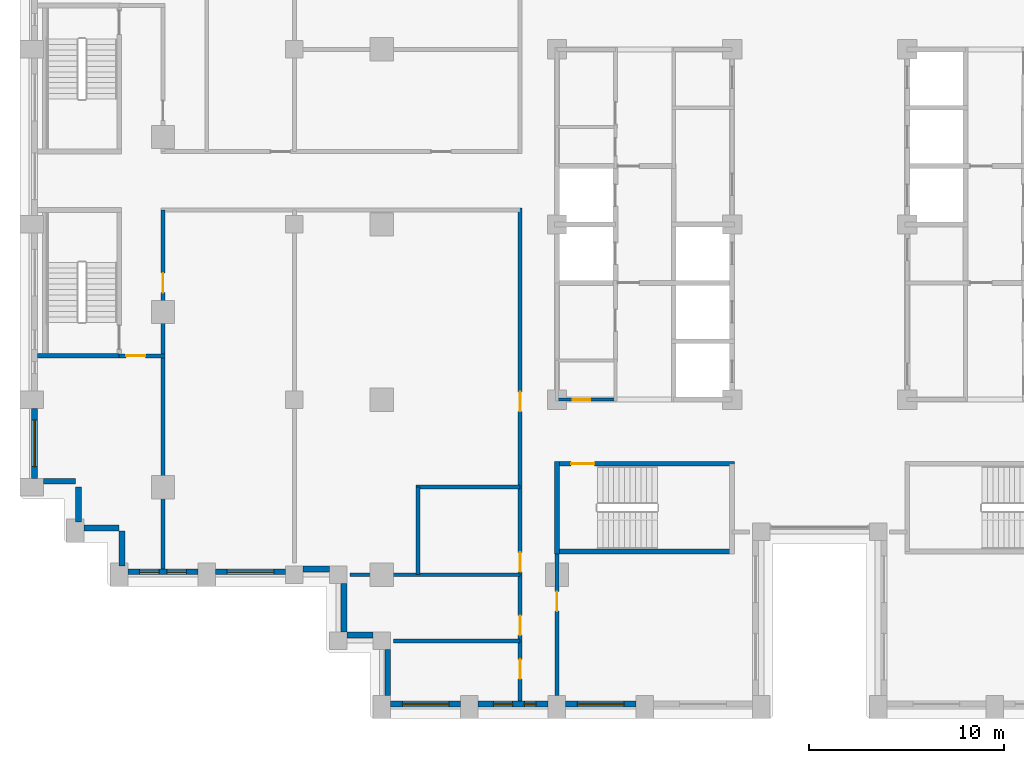
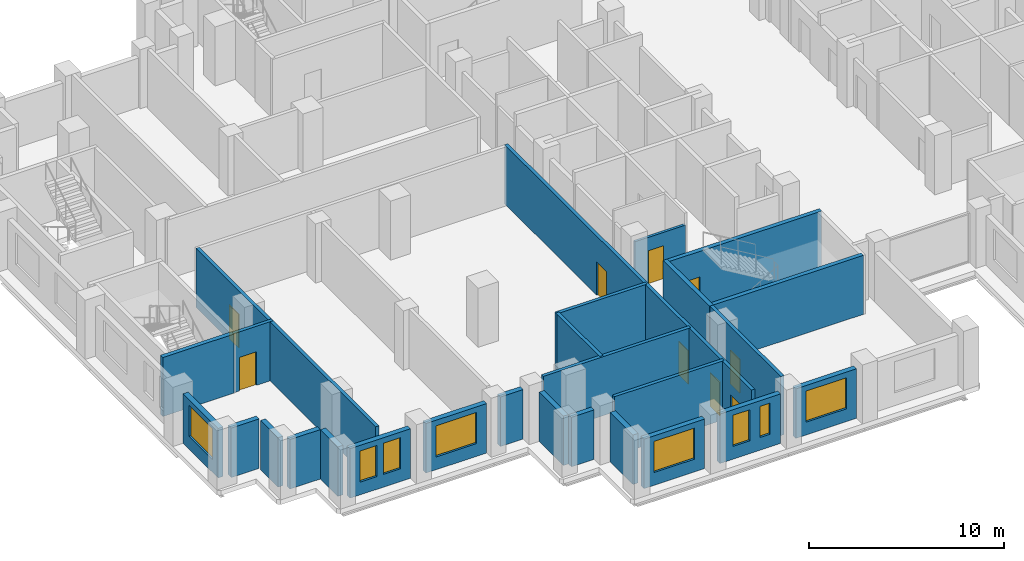
# One storey, part 6 of 16: 27 walls, 9 doors, 8 windows, 17 openings.
"""IFC4 building model written with IfcOpenShell, lengths in metres."""

from ifc_helpers import new_model, si_unit, direction, frame, frame_2d, origin, place, context, subcontext, project, spatial, rectangle, extrude, material, layer, layer_set, type_object, element, fill, save


model = new_model("IFC4")

# Units and contexts
model_context = context("Model", 3, precision=1e-05, world=origin(), true_north=direction((0.0, 1.0)))
body_context = subcontext(model_context, "Body", "Model", "MODEL_VIEW")
ifc_project = project(units=[si_unit("LENGTHUNIT", "METRE"), si_unit("AREAUNIT", "SQUARE_METRE"), si_unit("VOLUMEUNIT", "CUBIC_METRE"), si_unit("PLANEANGLEUNIT", "RADIAN"), si_unit("MASSUNIT", "GRAM", prefix="KILO")], contexts=[model_context])

# Site, building, storey
site_placement = place(None, origin())
site = spatial("IfcSite", under=ifc_project, at=site_placement, CompositionType="ELEMENT")
building_placement = place(site_placement, origin())
building = spatial("IfcBuilding", under=site, at=building_placement, Name="Corbelhall Arena Tower", CompositionType="ELEMENT")
storey_placement = place(building_placement, frame((0.0, 0.0, 72.0)))
storey = spatial("IfcBuildingStorey", under=building, at=storey_placement, Name="L10", CompositionType="ELEMENT", Elevation=72.0)

# Walls
ifc_material_1 = material(Name="Precast concrete C40/50 with granite facing", Category="masonry")
ifc_layer_1 = layer(ifc_material_1, 0.300048828125)
ifc_layer_set_1 = layer_set([ifc_layer_1], Name="EV-IW1 Infill panel 300")
wall_type_1 = type_object("IfcWallType", Name="EV-IW1 Infill panel 300", PredefinedType="SOLIDWALL", material=ifc_layer_set_1)
wall_1_placement = place(storey_placement, frame((-39.89990234375, -13.199951171875, 0.0), z_axis=(0.0, 0.0, 1.0), x_axis=(1.0, 0.0, 0.0)))
element("IfcWall", 1, at=wall_1_placement, inside=storey, type_object=wall_type_1, Name="Infill panel IW1", PredefinedType="SOLIDWALL", context=body_context, shape_type="SweptSolid", body=[
    extrude(rectangle(XDim=1.64990234375, YDim=0.300048828125, at=frame_2d((0.824951171875, 0.0))), origin(), (0.0, 0.0, 1.0), 3.10009765625),
])
for number, where, z_axis, x_axis, name in (
    (2, (-38.10009765625, -15.300048828125, 0.0), (0.0, 0.0, 1.0), (0.0, 1.0, 0.0), "Infill panel IW1"),
    (3, (-37.800048828125, -15.60009765625, 0.0), (0.0, 0.0, 1.0), (1.0, 0.0, 0.0), "Infill panel IW1"),
    (4, (-35.85009765625, -17.550048828125, 0.0), (0.0, 0.0, 1.0), (0.0, 1.0, 0.0), "Infill panel IW1"),
):
    element("IfcWall", number, at=place(storey_placement, frame(where, z_axis=z_axis, x_axis=x_axis)), inside=storey, type_object=wall_type_1, Name=name, PredefinedType="SOLIDWALL", context=body_context, shape_type="SweptSolid", body=[
        extrude(rectangle(XDim=1.800048828125, YDim=0.300048828125, at=frame_2d((0.89990234375, 0.0))), origin(), (0.0, 0.0, 1.0), 3.10009765625),
    ])

# Wall, opening, window
wall_2_placement = place(storey_placement, frame((-40.35009765625, -9.449951171875, 0.0), z_axis=(0.0, 0.0, 1.0), x_axis=(0.0, -1.0, 0.0)))
wall_2 = element("IfcWall", 5, at=wall_2_placement, inside=storey, type_object=wall_type_1, Name="Infill panel IW1", PredefinedType="SOLIDWALL", context=body_context, shape_type="SweptSolid", body=[
    extrude(rectangle(XDim=3.60009765625, YDim=0.300048828125, at=frame_2d((1.800048828125, 0.0))), origin(), (0.0, 0.0, 1.0), 3.10009765625),
])
opening_1_placement = place(wall_2_placement, frame((0.60009765625, 0.0, 0.800048828125)))
opening_1 = element("IfcOpeningElement", 6, at=opening_1_placement, cuts=wall_2, Name="Opening WN1", PredefinedType="OPENING", context=body_context, shape_type="SweptSolid", body=[
    extrude(rectangle(XDim=2.39990234375, YDim=1.949951171875, at=frame_2d((1.199951171875, 0.97509765625))), frame((0.0, 0.14990234375, 0.0), z_axis=(0.0, -1.0, 0.0), x_axis=(1.0, 0.0, 0.0)), (0.0, 0.0, 1.0), 0.300048828125),
])
ifc_material_2 = material(Name="Aluminium black anodised", Category="aluminium")
window_type_1 = type_object("IfcWindowType", Name="EV-WN1 Office window", PartitioningType="SINGLE_PANEL", PredefinedType="WINDOW", material=ifc_material_2)
window_1_placement = place(opening_1_placement, origin())
window_1 = element("IfcWindow", 7, at=window_1_placement, inside=storey, type_object=window_type_1, Name="Window WN1", OverallHeight=1.949951171875, OverallWidth=2.39990234375, PartitioningType="SINGLE_PANEL", PredefinedType="WINDOW", context=body_context, shape_type="SweptSolid", body=[
    extrude(rectangle(XDim=2.39990234375, YDim=1.949951171875, at=frame_2d((1.199951171875, 0.97509765625))), frame((0.0, 0.030029296875, 0.0), z_axis=(0.0, -1.0, 0.0), x_axis=(1.0, 0.0, 0.0)), (0.0, 0.0, 1.0), 0.06005859375),
])
fill(opening_1, window_1)

# Wall, openings, windows
wall_3_placement = place(storey_placement, frame((-35.550048828125, -17.85009765625, 0.0), z_axis=(0.0, 0.0, 1.0), x_axis=(1.0, 0.0, 0.0)))
wall_3 = element("IfcWall", 8, at=wall_3_placement, inside=storey, type_object=wall_type_1, Name="Infill panel IW1", PredefinedType="SOLIDWALL", context=body_context, shape_type="SweptSolid", body=[
    extrude(rectangle(XDim=3.60009765625, YDim=0.300048828125, at=frame_2d((1.800048828125, 0.0))), origin(), (0.0, 0.0, 1.0), 3.10009765625),
])
opening_2_placement = place(wall_3_placement, frame((0.60009765625, 0.0, 0.800048828125)))
opening_2 = element("IfcOpeningElement", 9, at=opening_2_placement, cuts=wall_3, Name="Opening WN6", PredefinedType="OPENING", context=body_context, shape_type="SweptSolid", body=[
    extrude(rectangle(XDim=1.0, YDim=1.949951171875, at=frame_2d((0.5, 0.97509765625))), frame((0.0, 0.14990234375, 0.0), z_axis=(0.0, -1.0, 0.0), x_axis=(1.0, 0.0, 0.0)), (0.0, 0.0, 1.0), 0.300048828125),
])
opening_3_placement = place(wall_3_placement, frame((2.0, 0.0, 0.800048828125)))
opening_3 = element("IfcOpeningElement", 10, at=opening_3_placement, cuts=wall_3, Name="Opening WN6", PredefinedType="OPENING", context=body_context, shape_type="SweptSolid", body=[
    extrude(rectangle(XDim=1.0, YDim=1.949951171875, at=frame_2d((0.5, 0.97509765625))), frame((0.0, 0.14990234375, 0.0), z_axis=(0.0, -1.0, 0.0), x_axis=(1.0, 0.0, 0.0)), (0.0, 0.0, 1.0), 0.300048828125),
])
window_type_2 = type_object("IfcWindowType", Name="EV-WN6 Office window 1000", PartitioningType="SINGLE_PANEL", PredefinedType="WINDOW", material=ifc_material_2)
window_2_placement = place(opening_2_placement, origin())
window_2 = element("IfcWindow", 11, at=window_2_placement, inside=storey, type_object=window_type_2, Name="Window WN6", OverallHeight=1.949951171875, OverallWidth=1.0, PartitioningType="SINGLE_PANEL", PredefinedType="WINDOW", context=body_context, shape_type="SweptSolid", body=[
    extrude(rectangle(XDim=1.0, YDim=1.949951171875, at=frame_2d((0.5, 0.97509765625))), frame((0.0, 0.030029296875, 0.0), z_axis=(0.0, -1.0, 0.0), x_axis=(1.0, 0.0, 0.0)), (0.0, 0.0, 1.0), 0.06005859375),
])
fill(opening_2, window_2)
window_3_placement = place(opening_3_placement, origin())
window_3 = element("IfcWindow", 12, at=window_3_placement, inside=storey, type_object=window_type_2, Name="Window WN6", OverallHeight=1.949951171875, OverallWidth=1.0, PartitioningType="SINGLE_PANEL", PredefinedType="WINDOW", context=body_context, shape_type="SweptSolid", body=[
    extrude(rectangle(XDim=1.0, YDim=1.949951171875, at=frame_2d((0.5, 0.97509765625))), frame((0.0, 0.030029296875, 0.0), z_axis=(0.0, -1.0, 0.0), x_axis=(1.0, 0.0, 0.0)), (0.0, 0.0, 1.0), 0.06005859375),
])
fill(opening_3, window_3)

# Wall, opening, window
wall_4_placement = place(storey_placement, frame((-31.050048828125, -17.85009765625, 0.0), z_axis=(0.0, 0.0, 1.0), x_axis=(1.0, 0.0, 0.0)))
wall_4 = element("IfcWall", 13, at=wall_4_placement, inside=storey, type_object=wall_type_1, Name="Infill panel IW1", PredefinedType="SOLIDWALL", context=body_context, shape_type="SweptSolid", body=[
    extrude(rectangle(XDim=3.60009765625, YDim=0.300048828125, at=frame_2d((1.800048828125, 0.0))), origin(), (0.0, 0.0, 1.0), 3.10009765625),
])
opening_4_placement = place(wall_4_placement, frame((0.60009765625, 0.0, 0.800048828125)))
opening_4 = element("IfcOpeningElement", 14, at=opening_4_placement, cuts=wall_4, Name="Opening WN1", PredefinedType="OPENING", context=body_context, shape_type="SweptSolid", body=[
    extrude(rectangle(XDim=2.39990234375, YDim=1.949951171875, at=frame_2d((1.199951171875, 0.97509765625))), frame((0.0, 0.14990234375, 0.0), z_axis=(0.0, -1.0, 0.0), x_axis=(1.0, 0.0, 0.0)), (0.0, 0.0, 1.0), 0.300048828125),
])
window_4_placement = place(opening_4_placement, origin())
window_4 = element("IfcWindow", 15, at=window_4_placement, inside=storey, type_object=window_type_1, Name="Window WN1", OverallHeight=1.949951171875, OverallWidth=2.39990234375, PartitioningType="SINGLE_PANEL", PredefinedType="WINDOW", context=body_context, shape_type="SweptSolid", body=[
    extrude(rectangle(XDim=2.39990234375, YDim=1.949951171875, at=frame_2d((1.199951171875, 0.97509765625))), frame((0.0, 0.030029296875, 0.0), z_axis=(0.0, -1.0, 0.0), x_axis=(1.0, 0.0, 0.0)), (0.0, 0.0, 1.0), 0.06005859375),
])
fill(opening_4, window_4)

# Walls
wall_5_placement = place(storey_placement, frame((-26.550048828125, -17.699951171875, 0.0), z_axis=(0.0, 0.0, 1.0), x_axis=(1.0, 0.0, 0.0)))
element("IfcWall", 16, at=wall_5_placement, inside=storey, type_object=wall_type_1, Name="Infill panel IW1", PredefinedType="SOLIDWALL", context=body_context, shape_type="SweptSolid", body=[
    extrude(rectangle(XDim=1.35009765625, YDim=0.300048828125, at=frame_2d((0.675048828125, 0.0))), origin(), (0.0, 0.0, 1.0), 3.10009765625),
])
wall_6_placement = place(storey_placement, frame((-24.449951171875, -18.449951171875, 0.0), z_axis=(0.0, 0.0, 1.0), x_axis=(0.0, -1.0, 0.0)))
element("IfcWall", 17, at=wall_6_placement, inside=storey, type_object=wall_type_1, Name="Infill panel IW1", PredefinedType="SOLIDWALL", context=body_context, shape_type="SweptSolid", body=[
    extrude(rectangle(XDim=2.5, YDim=0.300048828125, at=frame_2d((1.25, 0.0))), origin(), (0.0, 0.0, 1.0), 3.10009765625),
])
wall_7_placement = place(storey_placement, frame((-24.300048828125, -21.10009765625, 0.0), z_axis=(0.0, 0.0, 1.0), x_axis=(1.0, 0.0, 0.0)))
element("IfcWall", 18, at=wall_7_placement, inside=storey, type_object=wall_type_1, Name="Infill panel IW1", PredefinedType="SOLIDWALL", context=body_context, shape_type="SweptSolid", body=[
    extrude(rectangle(XDim=1.35009765625, YDim=0.300048828125, at=frame_2d((0.675048828125, 0.0))), origin(), (0.0, 0.0, 1.0), 3.10009765625),
])
wall_8_placement = place(storey_placement, frame((-22.199951171875, -21.85009765625, 0.0), z_axis=(0.0, 0.0, 1.0), x_axis=(0.0, -1.0, 0.0)))
element("IfcWall", 19, at=wall_8_placement, inside=storey, type_object=wall_type_1, Name="Infill panel IW1", PredefinedType="SOLIDWALL", context=body_context, shape_type="SweptSolid", body=[
    extrude(rectangle(XDim=2.349853515625, YDim=0.300048828125, at=frame_2d((1.1748046875, 0.0))), origin(), (0.0, 0.0, 1.0), 3.10009765625),
])

# Wall, opening, window
wall_9_placement = place(storey_placement, frame((-22.050048828125, -24.64990234375, 0.0), z_axis=(0.0, 0.0, 1.0), x_axis=(1.0, 0.0, 0.0)))
wall_9 = element("IfcWall", 20, at=wall_9_placement, inside=storey, type_object=wall_type_1, Name="Infill panel IW1", PredefinedType="SOLIDWALL", context=body_context, shape_type="SweptSolid", body=[
    extrude(rectangle(XDim=3.60009765625, YDim=0.300048828125, at=frame_2d((1.800048828125, 0.0))), origin(), (0.0, 0.0, 1.0), 3.10009765625),
])
opening_5_placement = place(wall_9_placement, frame((0.60009765625, 0.0, 0.800048828125)))
opening_5 = element("IfcOpeningElement", 21, at=opening_5_placement, cuts=wall_9, Name="Opening WN1", PredefinedType="OPENING", context=body_context, shape_type="SweptSolid", body=[
    extrude(rectangle(XDim=2.39990234375, YDim=1.949951171875, at=frame_2d((1.199951171875, 0.97509765625))), frame((0.0, 0.14990234375, 0.0), z_axis=(0.0, -1.0, 0.0), x_axis=(1.0, 0.0, 0.0)), (0.0, 0.0, 1.0), 0.300048828125),
])
window_5_placement = place(opening_5_placement, origin())
window_5 = element("IfcWindow", 22, at=window_5_placement, inside=storey, type_object=window_type_1, Name="Window WN1", OverallHeight=1.949951171875, OverallWidth=2.39990234375, PartitioningType="SINGLE_PANEL", PredefinedType="WINDOW", context=body_context, shape_type="SweptSolid", body=[
    extrude(rectangle(XDim=2.39990234375, YDim=1.949951171875, at=frame_2d((1.199951171875, 0.97509765625))), frame((0.0, 0.030029296875, 0.0), z_axis=(0.0, -1.0, 0.0), x_axis=(1.0, 0.0, 0.0)), (0.0, 0.0, 1.0), 0.06005859375),
])
fill(opening_5, window_5)

# Wall, openings, windows
wall_10_placement = place(storey_placement, frame((-17.550048828125, -24.64990234375, 0.0), z_axis=(0.0, 0.0, 1.0), x_axis=(1.0, 0.0, 0.0)))
wall_10 = element("IfcWall", 23, at=wall_10_placement, inside=storey, type_object=wall_type_1, Name="Infill panel IW1", PredefinedType="SOLIDWALL", context=body_context, shape_type="SweptSolid", body=[
    extrude(rectangle(XDim=3.60009765625, YDim=0.300048828125, at=frame_2d((1.800048828125, 0.0))), origin(), (0.0, 0.0, 1.0), 3.10009765625),
])
opening_6_placement = place(wall_10_placement, frame((0.77490234375, 0.0, 0.800048828125)))
opening_6 = element("IfcOpeningElement", 24, at=opening_6_placement, cuts=wall_10, Name="Opening WN6", PredefinedType="OPENING", context=body_context, shape_type="SweptSolid", body=[
    extrude(rectangle(XDim=1.0, YDim=1.949951171875, at=frame_2d((0.5, 0.97509765625))), frame((0.0, 0.14990234375, 0.0), z_axis=(0.0, -1.0, 0.0), x_axis=(1.0, 0.0, 0.0)), (0.0, 0.0, 1.0), 0.300048828125),
])
opening_7_placement = place(wall_10_placement, frame((2.375, 0.0, 0.800048828125)))
opening_7 = element("IfcOpeningElement", 25, at=opening_7_placement, cuts=wall_10, Name="Opening WN5", PredefinedType="OPENING", context=body_context, shape_type="SweptSolid", body=[
    extrude(rectangle(XDim=0.60009765625, YDim=1.949951171875, at=frame_2d((0.300048828125, 0.97509765625))), frame((0.0, 0.14990234375, 0.0), z_axis=(0.0, -1.0, 0.0), x_axis=(1.0, 0.0, 0.0)), (0.0, 0.0, 1.0), 0.300048828125),
])
window_type_3 = type_object("IfcWindowType", Name="EV-WN5 Office window 600", PartitioningType="SINGLE_PANEL", PredefinedType="WINDOW", material=ifc_material_2)
window_6_placement = place(opening_7_placement, origin())
window_6 = element("IfcWindow", 26, at=window_6_placement, inside=storey, type_object=window_type_3, Name="Window WN5", OverallHeight=1.949951171875, OverallWidth=0.60009765625, PartitioningType="SINGLE_PANEL", PredefinedType="WINDOW", context=body_context, shape_type="SweptSolid", body=[
    extrude(rectangle(XDim=0.60009765625, YDim=1.949951171875, at=frame_2d((0.300048828125, 0.97509765625))), frame((0.0, 0.030029296875, 0.0), z_axis=(0.0, -1.0, 0.0), x_axis=(1.0, 0.0, 0.0)), (0.0, 0.0, 1.0), 0.06005859375),
])
fill(opening_7, window_6)
window_7_placement = place(opening_6_placement, origin())
window_7 = element("IfcWindow", 27, at=window_7_placement, inside=storey, type_object=window_type_2, Name="Window WN6", OverallHeight=1.949951171875, OverallWidth=1.0, PartitioningType="SINGLE_PANEL", PredefinedType="WINDOW", context=body_context, shape_type="SweptSolid", body=[
    extrude(rectangle(XDim=1.0, YDim=1.949951171875, at=frame_2d((0.5, 0.97509765625))), frame((0.0, 0.030029296875, 0.0), z_axis=(0.0, -1.0, 0.0), x_axis=(1.0, 0.0, 0.0)), (0.0, 0.0, 1.0), 0.06005859375),
])
fill(opening_6, window_7)

# Wall, opening, window
wall_11_placement = place(storey_placement, frame((-13.050048828125, -24.64990234375, 0.0), z_axis=(0.0, 0.0, 1.0), x_axis=(1.0, 0.0, 0.0)))
wall_11 = element("IfcWall", 28, at=wall_11_placement, inside=storey, type_object=wall_type_1, Name="Infill panel IW1", PredefinedType="SOLIDWALL", context=body_context, shape_type="SweptSolid", body=[
    extrude(rectangle(XDim=3.60009765625, YDim=0.300048828125, at=frame_2d((1.800048828125, 0.0))), origin(), (0.0, 0.0, 1.0), 3.10009765625),
])
opening_8_placement = place(wall_11_placement, frame((0.60009765625, 0.0, 0.800048828125)))
opening_8 = element("IfcOpeningElement", 29, at=opening_8_placement, cuts=wall_11, Name="Opening WN1", PredefinedType="OPENING", context=body_context, shape_type="SweptSolid", body=[
    extrude(rectangle(XDim=2.39990234375, YDim=1.949951171875, at=frame_2d((1.199951171875, 0.97509765625))), frame((0.0, 0.14990234375, 0.0), z_axis=(0.0, -1.0, 0.0), x_axis=(1.0, 0.0, 0.0)), (0.0, 0.0, 1.0), 0.300048828125),
])
window_8_placement = place(opening_8_placement, origin())
window_8 = element("IfcWindow", 30, at=window_8_placement, inside=storey, type_object=window_type_1, Name="Window WN1", OverallHeight=1.949951171875, OverallWidth=2.39990234375, PartitioningType="SINGLE_PANEL", PredefinedType="WINDOW", context=body_context, shape_type="SweptSolid", body=[
    extrude(rectangle(XDim=2.39990234375, YDim=1.949951171875, at=frame_2d((1.199951171875, 0.97509765625))), frame((0.0, 0.030029296875, 0.0), z_axis=(0.0, -1.0, 0.0), x_axis=(1.0, 0.0, 0.0)), (0.0, 0.0, 1.0), 0.06005859375),
])
fill(opening_8, window_8)

# Wall, opening, door
ifc_material_3 = material(Name="Gypsum board on steel stud, acoustic", Category="steel")
ifc_layer_2 = layer(ifc_material_3, 0.199951171875)
ifc_layer_set_2 = layer_set([ifc_layer_2], Name="IN-W-DM200")
wall_type_2 = type_object("IfcWallType", Name="IN-W-DM200", PredefinedType="PARTITIONING", material=ifc_layer_set_2)
wall_12_placement = place(storey_placement, frame((-33.75, 0.75, 0.0), z_axis=(0.0, 0.0, 1.0), x_axis=(0.0, -1.0, 0.0)))
wall_12 = element("IfcWall", 31, at=wall_12_placement, inside=storey, type_object=wall_type_2, Name="Partition 003", PredefinedType="PARTITIONING", context=body_context, shape_type="SweptSolid", body=[
    extrude(rectangle(XDim=18.449951171875, YDim=0.199951171875, at=frame_2d((9.22509765625, 0.0))), origin(), (0.0, 0.0, 1.0), 3.699951171875),
])
opening_9_placement = place(wall_12_placement, frame((3.25, 0.0, 0.0)))
opening_9 = element("IfcOpeningElement", 32, at=opening_9_placement, cuts=wall_12, Name="Opening 01043", PredefinedType="OPENING", context=body_context, shape_type="SweptSolid", body=[
    extrude(rectangle(XDim=1.0, YDim=2.10009765625, at=frame_2d((0.5, 1.050048828125))), frame((0.0, 0.10009765625, 0.0), z_axis=(0.0, -1.0, 0.0), x_axis=(1.0, 0.0, 0.0)), (0.0, 0.0, 1.0), 0.199951171875),
])
ifc_material_4 = material(Name="Steel door set", Category="steel")
door_type_1 = type_object("IfcDoorType", Name="IN-D-SW100", OperationType="NOTDEFINED", PredefinedType="DOOR", material=ifc_material_4)
door_1_placement = place(opening_9_placement, origin())
door_1 = element("IfcDoor", 33, at=door_1_placement, inside=storey, type_object=door_type_1, Name="Door 043", OperationType="SINGLE_SWING_RIGHT", OverallHeight=2.10009765625, OverallWidth=1.0, PredefinedType="DOOR", context=body_context, shape_type="SweptSolid", body=[
    extrude(rectangle(XDim=1.0, YDim=2.10009765625, at=frame_2d((0.5, 1.050048828125))), frame((0.0, 0.02490234375, 0.0), z_axis=(0.0, -1.0, 0.0), x_axis=(1.0, 0.0, 0.0)), (0.0, 0.0, 1.0), 0.050048828125),
])
fill(opening_9, door_1)

wall_13_placement = place(storey_placement, frame((-33.64990234375, -6.75, 0.0), z_axis=(0.0, 0.0, 1.0), x_axis=(-1.0, 0.0, 0.0)))
wall_13 = element("IfcWall", 34, at=wall_13_placement, inside=storey, type_object=wall_type_2, Name="Partition 005", PredefinedType="PARTITIONING", context=body_context, shape_type="SweptSolid", body=[
    extrude(rectangle(XDim=2.35009765625, YDim=0.199951171875, at=frame_2d((1.175048828125, 0.0))), origin(), (0.0, 0.0, 1.0), 3.699951171875),
])
opening_10_placement = place(wall_13_placement, frame((1.0, 0.0, 0.0)))
opening_10 = element("IfcOpeningElement", 35, at=opening_10_placement, cuts=wall_13, Name="Opening 01042", PredefinedType="OPENING", context=body_context, shape_type="SweptSolid", body=[
    extrude(rectangle(XDim=1.0, YDim=2.10009765625, at=frame_2d((0.5, 1.050048828125))), frame((0.0, 0.10009765625, 0.0), z_axis=(0.0, -1.0, 0.0), x_axis=(1.0, 0.0, 0.0)), (0.0, 0.0, 1.0), 0.199951171875),
])
door_2_placement = place(opening_10_placement, origin())
door_2 = element("IfcDoor", 36, at=door_2_placement, inside=storey, type_object=door_type_1, Name="Door 042", OperationType="SINGLE_SWING_LEFT", OverallHeight=2.10009765625, OverallWidth=1.0, PredefinedType="DOOR", context=body_context, shape_type="SweptSolid", body=[
    extrude(rectangle(XDim=1.0, YDim=2.10009765625, at=frame_2d((0.5, 1.050048828125))), frame((0.0, 0.02490234375, 0.0), z_axis=(0.0, -1.0, 0.0), x_axis=(1.0, 0.0, 0.0)), (0.0, 0.0, 1.0), 0.050048828125),
])
fill(opening_10, door_2)

# Walls
wall_14_placement = place(storey_placement, frame((-24.14990234375, -18.0, 0.0), z_axis=(0.0, 0.0, 1.0), x_axis=(1.0, 0.0, 0.0)))
element("IfcWall", 37, at=wall_14_placement, inside=storey, type_object=wall_type_2, Name="Partition 011", PredefinedType="PARTITIONING", context=body_context, shape_type="SweptSolid", body=[
    extrude(rectangle(XDim=8.75, YDim=0.199951171875, at=frame_2d((4.375, 0.0))), origin(), (0.0, 0.0, 1.0), 3.699951171875),
])
wall_15_placement = place(storey_placement, frame((-21.89990234375, -21.39990234375, 0.0), z_axis=(0.0, 0.0, 1.0), x_axis=(1.0, 0.0, 0.0)))
element("IfcWall", 38, at=wall_15_placement, inside=storey, type_object=wall_type_2, Name="Partition 012", PredefinedType="PARTITIONING", context=body_context, shape_type="SweptSolid", body=[
    extrude(rectangle(XDim=6.5, YDim=0.199951171875, at=frame_2d((3.25, 0.0))), origin(), (0.0, 0.0, 1.0), 3.699951171875),
])
wall_16_placement = place(storey_placement, frame((-20.75, -13.5, 0.0), z_axis=(0.0, 0.0, 1.0), x_axis=(1.0, 0.0, 0.0)))
element("IfcWall", 39, at=wall_16_placement, inside=storey, type_object=wall_type_2, Name="Partition 014", PredefinedType="PARTITIONING", context=body_context, shape_type="SweptSolid", body=[
    extrude(rectangle(XDim=5.35009765625, YDim=0.199951171875, at=frame_2d((2.675048828125, 0.0))), origin(), (0.0, 0.0, 1.0), 3.699951171875),
])
wall_17_placement = place(storey_placement, frame((-20.64990234375, -18.0, 0.0), z_axis=(0.0, 0.0, 1.0), x_axis=(0.0, 1.0, 0.0)))
element("IfcWall", 40, at=wall_17_placement, inside=storey, type_object=wall_type_2, Name="Partition 015", PredefinedType="PARTITIONING", context=body_context, shape_type="SweptSolid", body=[
    extrude(rectangle(XDim=4.5, YDim=0.199951171875, at=frame_2d((2.25, 0.0))), origin(), (0.0, 0.0, 1.0), 3.699951171875),
])

# Wall, openings, doors
wall_18_placement = place(storey_placement, frame((-15.39990234375, -24.5, 0.0), z_axis=(0.0, 0.0, 1.0), x_axis=(0.0, 1.0, 0.0)))
wall_18 = element("IfcWall", 41, at=wall_18_placement, inside=storey, type_object=wall_type_2, Name="Partition 016", PredefinedType="PARTITIONING", context=body_context, shape_type="SweptSolid", body=[
    extrude(rectangle(XDim=25.35009765625, YDim=0.199951171875, at=frame_2d((12.675048828125, 0.0))), origin(), (0.0, 0.0, 1.0), 3.699951171875),
])
opening_11_placement = place(wall_18_placement, frame((1.14990234375, 0.0, 0.0)))
opening_11 = element("IfcOpeningElement", 42, at=opening_11_placement, cuts=wall_18, Name="Opening 01029", PredefinedType="OPENING", context=body_context, shape_type="SweptSolid", body=[
    extrude(rectangle(XDim=1.0, YDim=2.10009765625, at=frame_2d((0.5, 1.050048828125))), frame((0.0, 0.10009765625, 0.0), z_axis=(0.0, -1.0, 0.0), x_axis=(1.0, 0.0, 0.0)), (0.0, 0.0, 1.0), 0.199951171875),
])
opening_12_placement = place(wall_18_placement, frame((3.39990234375, 0.0, 0.0)))
opening_12 = element("IfcOpeningElement", 43, at=opening_12_placement, cuts=wall_18, Name="Opening 01030", PredefinedType="OPENING", context=body_context, shape_type="SweptSolid", body=[
    extrude(rectangle(XDim=1.0, YDim=2.10009765625, at=frame_2d((0.5, 1.050048828125))), frame((0.0, 0.10009765625, 0.0), z_axis=(0.0, -1.0, 0.0), x_axis=(1.0, 0.0, 0.0)), (0.0, 0.0, 1.0), 0.199951171875),
])
opening_13_placement = place(wall_18_placement, frame((6.64990234375, 0.0, 0.0)))
opening_13 = element("IfcOpeningElement", 44, at=opening_13_placement, cuts=wall_18, Name="Opening 01031", PredefinedType="OPENING", context=body_context, shape_type="SweptSolid", body=[
    extrude(rectangle(XDim=1.0, YDim=2.10009765625, at=frame_2d((0.5, 1.050048828125))), frame((0.0, 0.10009765625, 0.0), z_axis=(0.0, -1.0, 0.0), x_axis=(1.0, 0.0, 0.0)), (0.0, 0.0, 1.0), 0.199951171875),
])
opening_14_placement = place(wall_18_placement, frame((14.89990234375, 0.0, 0.0)))
opening_14 = element("IfcOpeningElement", 45, at=opening_14_placement, cuts=wall_18, Name="Opening 01032", PredefinedType="OPENING", context=body_context, shape_type="SweptSolid", body=[
    extrude(rectangle(XDim=1.0, YDim=2.10009765625, at=frame_2d((0.5, 1.050048828125))), frame((0.0, 0.10009765625, 0.0), z_axis=(0.0, -1.0, 0.0), x_axis=(1.0, 0.0, 0.0)), (0.0, 0.0, 1.0), 0.199951171875),
])
door_3_placement = place(opening_11_placement, origin())
door_3 = element("IfcDoor", 46, at=door_3_placement, inside=storey, type_object=door_type_1, Name="Door 029", OperationType="SINGLE_SWING_RIGHT", OverallHeight=2.10009765625, OverallWidth=1.0, PredefinedType="DOOR", context=body_context, shape_type="SweptSolid", body=[
    extrude(rectangle(XDim=1.0, YDim=2.10009765625, at=frame_2d((0.5, 1.050048828125))), frame((0.0, 0.02490234375, 0.0), z_axis=(0.0, -1.0, 0.0), x_axis=(1.0, 0.0, 0.0)), (0.0, 0.0, 1.0), 0.050048828125),
])
fill(opening_11, door_3)
door_4_placement = place(opening_12_placement, origin())
door_4 = element("IfcDoor", 47, at=door_4_placement, inside=storey, type_object=door_type_1, Name="Door 030", OperationType="SINGLE_SWING_LEFT", OverallHeight=2.10009765625, OverallWidth=1.0, PredefinedType="DOOR", context=body_context, shape_type="SweptSolid", body=[
    extrude(rectangle(XDim=1.0, YDim=2.10009765625, at=frame_2d((0.5, 1.050048828125))), frame((0.0, 0.02490234375, 0.0), z_axis=(0.0, -1.0, 0.0), x_axis=(1.0, 0.0, 0.0)), (0.0, 0.0, 1.0), 0.050048828125),
])
fill(opening_12, door_4)
door_5_placement = place(opening_13_placement, origin())
door_5 = element("IfcDoor", 48, at=door_5_placement, inside=storey, type_object=door_type_1, Name="Door 031", OperationType="SINGLE_SWING_RIGHT", OverallHeight=2.10009765625, OverallWidth=1.0, PredefinedType="DOOR", context=body_context, shape_type="SweptSolid", body=[
    extrude(rectangle(XDim=1.0, YDim=2.10009765625, at=frame_2d((0.5, 1.050048828125))), frame((0.0, 0.02490234375, 0.0), z_axis=(0.0, -1.0, 0.0), x_axis=(1.0, 0.0, 0.0)), (0.0, 0.0, 1.0), 0.050048828125),
])
fill(opening_13, door_5)
door_6_placement = place(opening_14_placement, origin())
door_6 = element("IfcDoor", 49, at=door_6_placement, inside=storey, type_object=door_type_1, Name="Door 032", OperationType="SINGLE_SWING_LEFT", OverallHeight=2.10009765625, OverallWidth=1.0, PredefinedType="DOOR", context=body_context, shape_type="SweptSolid", body=[
    extrude(rectangle(XDim=1.0, YDim=2.10009765625, at=frame_2d((0.5, 1.050048828125))), frame((0.0, 0.02490234375, 0.0), z_axis=(0.0, -1.0, 0.0), x_axis=(1.0, 0.0, 0.0)), (0.0, 0.0, 1.0), 0.050048828125),
])
fill(opening_14, door_6)

# Wall, opening, door
wall_19_placement = place(storey_placement, frame((-13.5, -16.675048828125, 0.0), z_axis=(0.0, 0.0, 1.0), x_axis=(0.0, -1.0, 0.0)))
wall_19 = element("IfcWall", 50, at=wall_19_placement, inside=storey, type_object=wall_type_2, Name="Partition 020", PredefinedType="PARTITIONING", context=body_context, shape_type="SweptSolid", body=[
    extrude(rectangle(XDim=7.52490234375, YDim=0.199951171875, at=frame_2d((3.762451171875, 0.0))), origin(), (0.0, 0.0, 1.0), 3.699951171875),
])
opening_15_placement = place(wall_19_placement, frame((2.199951171875, 0.0, 0.0)))
opening_15 = element("IfcOpeningElement", 51, at=opening_15_placement, cuts=wall_19, Name="Opening 01025", PredefinedType="OPENING", context=body_context, shape_type="SweptSolid", body=[
    extrude(rectangle(XDim=1.0, YDim=2.10009765625, at=frame_2d((0.5, 1.050048828125))), frame((0.0, 0.10009765625, 0.0), z_axis=(0.0, -1.0, 0.0), x_axis=(1.0, 0.0, 0.0)), (0.0, 0.0, 1.0), 0.199951171875),
])
door_7_placement = place(opening_15_placement, origin())
door_7 = element("IfcDoor", 52, at=door_7_placement, inside=storey, type_object=door_type_1, Name="Door 025", OperationType="SINGLE_SWING_RIGHT", OverallHeight=2.10009765625, OverallWidth=1.0, PredefinedType="DOOR", context=body_context, shape_type="SweptSolid", body=[
    extrude(rectangle(XDim=1.0, YDim=2.10009765625, at=frame_2d((0.5, 1.050048828125))), frame((0.0, 0.02490234375, 0.0), z_axis=(0.0, -1.0, 0.0), x_axis=(1.0, 0.0, 0.0)), (0.0, 0.0, 1.0), 0.050048828125),
])
fill(opening_15, door_7)

# Walls
ifc_material_5 = material(Name="Concrete C40/50", Category="concrete")
ifc_layer_3 = layer(ifc_material_5, 0.25)
ifc_layer_set_3 = layer_set([ifc_layer_3], Name="IN-W-ST250")
wall_type_3 = type_object("IfcWallType", Name="IN-W-ST250", PredefinedType="SOLIDWALL", material=ifc_layer_set_3)
wall_20_placement = place(storey_placement, frame((-36.0, -6.75, 0.0), z_axis=(0.0, 0.0, 1.0), x_axis=(-1.0, 0.0, 0.0)))
element("IfcWall", 53, at=wall_20_placement, inside=storey, type_object=wall_type_3, Name="Shaft wall 085", PredefinedType="SOLIDWALL", context=body_context, shape_type="SweptSolid", body=[
    extrude(rectangle(XDim=4.199951171875, YDim=0.25, at=frame_2d((2.10009765625, 0.0))), origin(), (0.0, 0.0, 1.0), 3.699951171875),
])
wall_21_placement = place(storey_placement, frame((-13.5, -12.175048828125, 0.0), z_axis=(0.0, 0.0, 1.0), x_axis=(0.0, -1.0, 0.0)))
element("IfcWall", 54, at=wall_21_placement, inside=storey, type_object=wall_type_3, Name="Shaft wall 089", PredefinedType="SOLIDWALL", context=body_context, shape_type="SweptSolid", body=[
    extrude(rectangle(XDim=4.75, YDim=0.25, at=frame_2d((2.375, 0.0))), origin(), (0.0, 0.0, 1.0), 3.699951171875),
])
wall_22_placement = place(storey_placement, frame((-4.5, -16.800048828125, 0.0), z_axis=(0.0, 0.0, 1.0), x_axis=(-1.0, 0.0, 0.0)))
element("IfcWall", 55, at=wall_22_placement, inside=storey, type_object=wall_type_3, Name="Shaft wall 093", PredefinedType="SOLIDWALL", context=body_context, shape_type="SweptSolid", body=[
    extrude(rectangle(XDim=9.0, YDim=0.25, at=frame_2d((4.5, 0.0))), origin(), (0.0, 0.0, 1.0), 3.699951171875),
])

# Wall, opening, door
wall_23_placement = place(storey_placement, frame((-4.375, -12.300048828125, 0.0), z_axis=(0.0, 0.0, 1.0), x_axis=(-1.0, 0.0, 0.0)))
wall_23 = element("IfcWall", 56, at=wall_23_placement, inside=storey, type_object=wall_type_3, Name="Shaft wall 096", PredefinedType="SOLIDWALL", context=body_context, shape_type="SweptSolid", body=[
    extrude(rectangle(XDim=9.125, YDim=0.25, at=frame_2d((4.5625, 0.0))), origin(), (0.0, 0.0, 1.0), 3.699951171875),
])
opening_16_placement = place(wall_23_placement, frame((7.199951171875, 0.0, 0.0)))
opening_16 = element("IfcOpeningElement", 57, at=opening_16_placement, cuts=wall_23, Name="Opening 01016", PredefinedType="OPENING", context=body_context, shape_type="SweptSolid", body=[
    extrude(rectangle(XDim=1.199951171875, YDim=2.10009765625, at=frame_2d((0.60009765625, 1.050048828125))), frame((0.0, 0.125, 0.0), z_axis=(0.0, -1.0, 0.0), x_axis=(1.0, 0.0, 0.0)), (0.0, 0.0, 1.0), 0.25),
])
door_type_2 = type_object("IfcDoorType", Name="IN-D-ST120", OperationType="NOTDEFINED", PredefinedType="DOOR", material=ifc_material_4)
door_8_placement = place(opening_16_placement, origin())
door_8 = element("IfcDoor", 58, at=door_8_placement, inside=storey, type_object=door_type_2, Name="Door 016", OperationType="SINGLE_SWING_LEFT", OverallHeight=2.10009765625, OverallWidth=1.199951171875, PredefinedType="DOOR", context=body_context, shape_type="SweptSolid", body=[
    extrude(rectangle(XDim=1.199951171875, YDim=2.10009765625, at=frame_2d((0.60009765625, 1.050048828125))), frame((0.0, 0.02490234375, 0.0), z_axis=(0.0, -1.0, 0.0), x_axis=(1.0, 0.0, 0.0)), (0.0, 0.0, 1.0), 0.050048828125),
])
fill(opening_16, door_8)

ifc_material_6 = material(Name="Gypsum board on steel stud, moisture resistant", Category="steel")
ifc_layer_4 = layer(ifc_material_6, 0.14990234375)
ifc_layer_set_4 = layer_set([ifc_layer_4], Name="IN-W-WC150 under beam 762 mm")
wall_type_4 = type_object("IfcWallType", Name="IN-W-WC150 under beam 762 mm", PredefinedType="PARTITIONING", material=ifc_layer_set_4)
wall_24_placement = place(storey_placement, frame((-10.5, -9.0, 0.0), z_axis=(0.0, 0.0, 1.0), x_axis=(-1.0, 0.0, 0.0)))
wall_24 = element("IfcWall", 59, at=wall_24_placement, inside=storey, type_object=wall_type_4, Name="Partition 116", PredefinedType="PARTITIONING", context=body_context, shape_type="SweptSolid", body=[
    extrude(rectangle(XDim=3.0, YDim=0.14990234375, at=frame_2d((1.5, 0.0))), origin(), (0.0, 0.0, 1.0), 2.93798828125),
])
opening_17_placement = place(wall_24_placement, frame((1.300048828125, 0.0, 0.0)))
opening_17 = element("IfcOpeningElement", 60, at=opening_17_placement, cuts=wall_24, Name="Opening 01005", PredefinedType="OPENING", context=body_context, shape_type="SweptSolid", body=[
    extrude(rectangle(XDim=0.89990234375, YDim=2.10009765625, at=frame_2d((0.449951171875, 1.050048828125))), frame((0.0, 0.074951171875, 0.0), z_axis=(0.0, -1.0, 0.0), x_axis=(1.0, 0.0, 0.0)), (0.0, 0.0, 1.0), 0.14990234375),
])
ifc_material_7 = material(Name="Timber door set", Category="wood")
door_type_3 = type_object("IfcDoorType", Name="IN-D-SW90", OperationType="NOTDEFINED", PredefinedType="DOOR", material=ifc_material_7)
door_9_placement = place(opening_17_placement, origin())
door_9 = element("IfcDoor", 61, at=door_9_placement, inside=storey, type_object=door_type_3, Name="Door 005", OperationType="SINGLE_SWING_RIGHT", OverallHeight=2.10009765625, OverallWidth=0.89990234375, PredefinedType="DOOR", context=body_context, shape_type="SweptSolid", body=[
    extrude(rectangle(XDim=0.89990234375, YDim=2.10009765625, at=frame_2d((0.449951171875, 1.050048828125))), frame((0.0, 0.02490234375, 0.0), z_axis=(0.0, -1.0, 0.0), x_axis=(1.0, 0.0, 0.0)), (0.0, 0.0, 1.0), 0.050048828125),
])
fill(opening_17, door_9)

save(model, "model.ifc")
